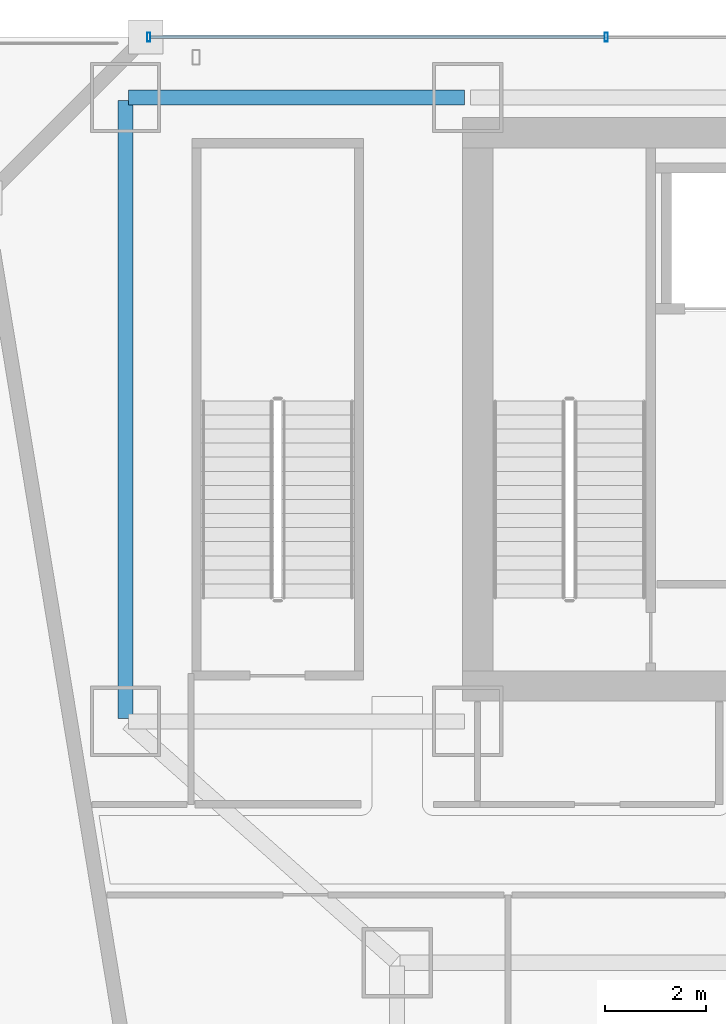
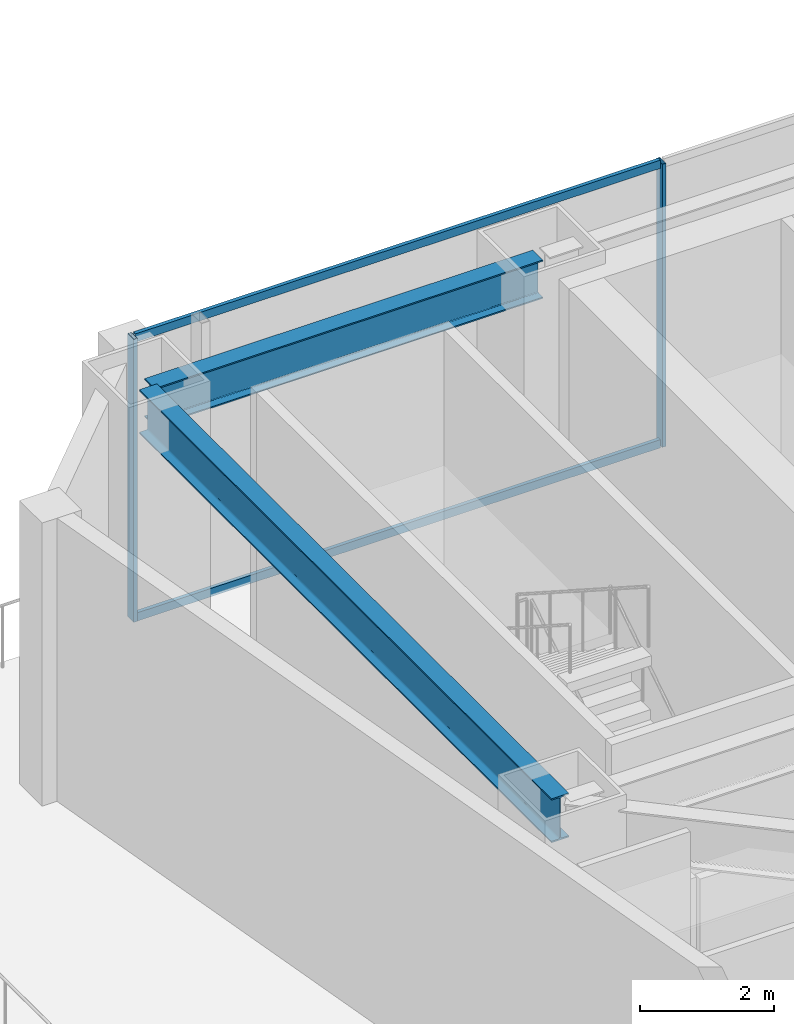
# One storey, part 13 of 29: 4 members, 2 beams, 1 element without a shape of its own.
"""IFC4 building model written with IfcOpenShell, lengths in metres."""

from ifc_helpers import new_model, si_unit, direction, frame, origin, origin_2d, place, context, subcontext, project, spatial, hollow_rectangle, i_section, extrude, material, material_profile, profile_set, type_object, element, aggregate, save


model = new_model("IFC4")

# Units and contexts
model_context = context("Model", 3, precision=1e-05, world=origin(), true_north=direction((0.0, 1.0)))
body_context = subcontext(model_context, "Body", "Model", "MODEL_VIEW")
ifc_project = project(units=[si_unit("LENGTHUNIT", "METRE"), si_unit("AREAUNIT", "SQUARE_METRE"), si_unit("VOLUMEUNIT", "CUBIC_METRE"), si_unit("PLANEANGLEUNIT", "RADIAN"), si_unit("MASSUNIT", "GRAM", prefix="KILO")], contexts=[model_context])

# Site, building, storey
site_placement = place(None, origin())
site = spatial("IfcSite", under=ifc_project, at=site_placement, CompositionType="ELEMENT")
building_placement = place(site_placement, origin())
building = spatial("IfcBuilding", under=site, at=building_placement, Name="Saevonmaru Cultural Tower", CompositionType="ELEMENT")
storey_placement = place(building_placement, frame((0.0, 0.0, 27.60009765625)))
storey = spatial("IfcBuildingStorey", under=building, at=storey_placement, Name="L05", CompositionType="ELEMENT", Elevation=27.60009765625)

# Beams
ifc_material_1 = material(Name="Steel SM420", Category="steel")
ifc_material_profile_1 = material_profile(ifc_material_1, i_section(OverallWidth=0.300048828125, OverallDepth=0.800048828125, WebThickness=0.013916015625, FlangeThickness=0.02587890625, FilletRadius=0.028076171875, at=origin_2d()), Name="H-800x300x14x26")
ifc_profile_set_1 = profile_set([ifc_material_profile_1], Name="Steel SM420")
beam_type_1 = type_object("IfcBeamType", Name="BM-G-H800", PredefinedType="BEAM", material=ifc_profile_set_1)
beam_1_placement = place(storey_placement, frame((6.800048828125, 54.739990234375, 4.75), z_axis=(0.0, -1.0, 0.0), x_axis=(1.0, 0.0, 0.0)))
element("IfcBeam", 1, at=beam_1_placement, inside=storey, type_object=beam_type_1, Name="L05 Spine Transverse Girder W", PredefinedType="BEAM", context=body_context, shape_type="SweptSolid", body=[
    extrude(i_section(OverallWidth=0.300048828125, OverallDepth=0.800048828125, WebThickness=0.013916015625, FlangeThickness=0.02587890625, FilletRadius=0.028076171875, at=origin_2d()), origin(), (0.0, 0.0, 1.0), 12.280029296875),
])
ifc_material_2 = material(Name="Steel SM355", Category="steel")
ifc_material_profile_2 = material_profile(ifc_material_2, i_section(OverallWidth=0.300048828125, OverallDepth=0.699951171875, WebThickness=0.012939453125, FlangeThickness=0.02392578125, FilletRadius=0.02587890625, at=origin_2d()), Name="H-700x300x13x24")
ifc_profile_set_2 = profile_set([ifc_material_profile_2], Name="Steel SM355")
beam_type_2 = type_object("IfcBeamType", Name="BM-SP-H700", PredefinedType="SPANDREL", material=ifc_profile_set_2)
beam_2_placement = place(storey_placement, frame((6.860107421875, 54.800048828125, 4.7998046875), z_axis=(1.0, 0.0, 0.0), x_axis=(0.0, 1.0, 0.0)))
element("IfcBeam", 2, at=beam_2_placement, inside=storey, type_object=beam_type_2, Name="L05 North Spine Girder 1", PredefinedType="SPANDREL", context=body_context, shape_type="SweptSolid", body=[
    extrude(i_section(OverallWidth=0.300048828125, OverallDepth=0.699951171875, WebThickness=0.012939453125, FlangeThickness=0.02392578125, FilletRadius=0.02587890625, at=origin_2d()), origin(), (0.0, 0.0, 1.0), 6.679931640625),
])

# Curtain wall, members
ifc_material_3 = material(Name="Satin Bronze Anodised Aluminium", Category="aluminium")
curtain_wall_type = type_object("IfcCurtainWallType", Name="CW-SKY-GLZ", PredefinedType="NOTDEFINED", material=ifc_material_3)
curtain_wall_placement = place(storey_placement, origin())
curtain_wall = element("IfcCurtainWall", 3, at=curtain_wall_placement, inside=storey, type_object=curtain_wall_type, Name="L05 Unitised Curtain Wall E10", PredefinedType="NOTDEFINED")
ifc_material_profile_3 = material_profile(ifc_material_3, hollow_rectangle(XDim=0.06494140625, YDim=0.179931640625, WallThickness=0.00390625, at=origin_2d()), Name="ALU-MULL-180x65x4")
ifc_profile_set_3 = profile_set([ifc_material_profile_3], Name="Satin Bronze Anodised Aluminium")
member_type_1 = type_object("IfcMemberType", Name="ML-CW-180x65", PredefinedType="MULLION", material=ifc_profile_set_3)
member_1_placement = place(storey_placement, frame((16.35595703125, 56.0, 0.0), z_axis=(0.0, 0.0, 1.0), x_axis=(-1.0, 0.0, 0.0)))
member_1 = element("IfcMember", 4, at=member_1_placement, type_object=member_type_1, Name="CW-TW-L05-E10 mullion 5", PredefinedType="MULLION", context=body_context, shape_type="SweptSolid", body=[
    extrude(hollow_rectangle(XDim=0.06494140625, YDim=0.179931640625, WallThickness=0.00390625, at=origin_2d()), origin(), (0.0, 0.0, 1.0), 5.14990234375),
])
member_2_placement = place(storey_placement, frame((7.260009765625, 56.0, 0.0), z_axis=(0.0, 0.0, 1.0), x_axis=(-1.0, 0.0, 0.0)))
member_2 = element("IfcMember", 5, at=member_2_placement, type_object=member_type_1, Name="CW-TW-L05-E10 mullion 6", PredefinedType="MULLION", context=body_context, shape_type="SweptSolid", body=[
    extrude(hollow_rectangle(XDim=0.06494140625, YDim=0.179931640625, WallThickness=0.00390625, at=origin_2d()), origin(), (0.0, 0.0, 1.0), 5.14990234375),
])
ifc_material_profile_4 = material_profile(ifc_material_3, hollow_rectangle(XDim=0.06494140625, YDim=0.14990234375, WallThickness=0.00390625, at=origin_2d()), Name="ALU-TRAN-150x65x4")
ifc_profile_set_4 = profile_set([ifc_material_profile_4], Name="Satin Bronze Anodised Aluminium")
member_type_2 = type_object("IfcMemberType", Name="TR-CW-150x65", PredefinedType="USERDEFINED", material=ifc_profile_set_4)
member_3_placement = place(storey_placement, frame((16.323486328125, 56.0, 0.032470703125), z_axis=(-1.0, 0.0, 0.0), x_axis=(0.0, -1.0, 0.0)))
member_3 = element("IfcMember", 6, at=member_3_placement, type_object=member_type_2, Name="CW-TW-L05-E10 transom 5.1", ObjectType="TRANSOM", PredefinedType="USERDEFINED", context=body_context, shape_type="SweptSolid", body=[
    extrude(hollow_rectangle(XDim=0.06494140625, YDim=0.14990234375, WallThickness=0.00390625, at=origin_2d()), origin(), (0.0, 0.0, 1.0), 9.031005859375),
])
member_4_placement = place(storey_placement, frame((16.323486328125, 56.0, 5.117431640625), z_axis=(-1.0, 0.0, 0.0), x_axis=(0.0, -1.0, 0.0)))
member_4 = element("IfcMember", 7, at=member_4_placement, type_object=member_type_2, Name="CW-TW-L05-E10 transom 5.2", ObjectType="TRANSOM", PredefinedType="USERDEFINED", context=body_context, shape_type="SweptSolid", body=[
    extrude(hollow_rectangle(XDim=0.06494140625, YDim=0.14990234375, WallThickness=0.00390625, at=origin_2d()), origin(), (0.0, 0.0, 1.0), 9.031005859375),
])
aggregate(curtain_wall, [member_1, member_2, member_3, member_4])

save(model, "model.ifc")
